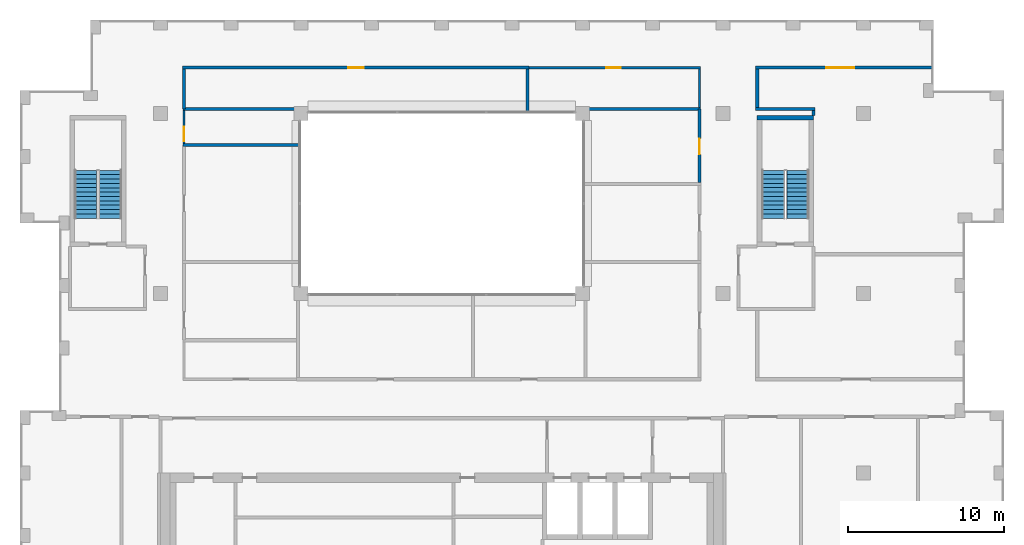
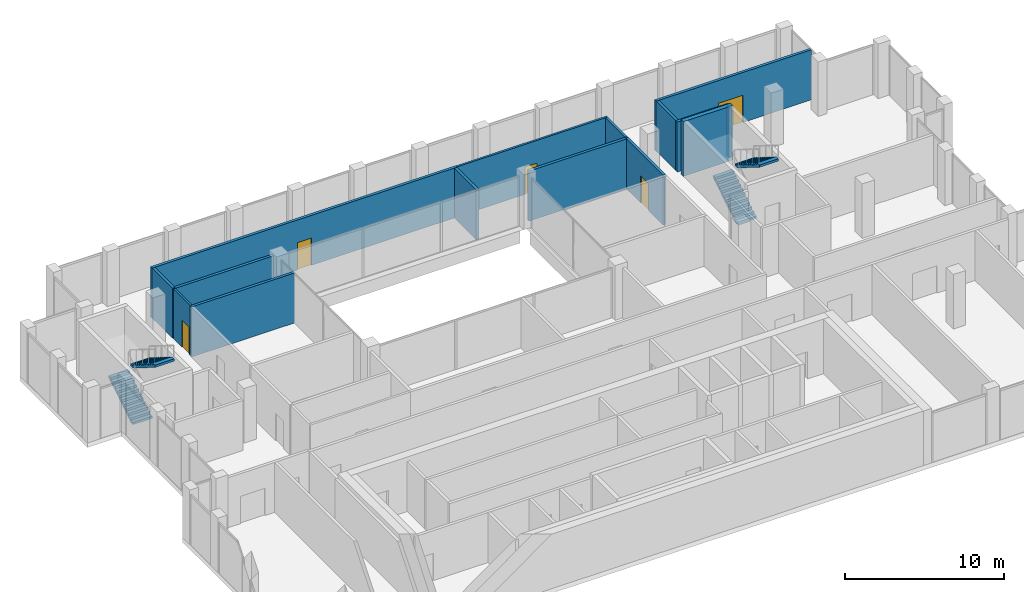
# One storey, part 13 of 15: 15 walls, 5 doors, 4 stair flights, 5 openings, 2 elements without a shape of their own.
"""IFC4 building model written with IfcOpenShell, lengths in metres."""

from ifc_helpers import new_model, si_unit, direction, frame, frame_2d, origin, place, context, subcontext, project, spatial, polyline, rectangle, outline, extrude, material, layer, layer_set, type_object, element, fill, aggregate, save


model = new_model("IFC4")

# Units and contexts
model_context = context("Model", 3, precision=1e-05, world=origin(), true_north=direction((0.0, 1.0)))
body_context = subcontext(model_context, "Body", "Model", "MODEL_VIEW")
ifc_project = project(units=[si_unit("LENGTHUNIT", "METRE"), si_unit("AREAUNIT", "SQUARE_METRE"), si_unit("VOLUMEUNIT", "CUBIC_METRE"), si_unit("PLANEANGLEUNIT", "RADIAN"), si_unit("MASSUNIT", "GRAM", prefix="KILO")], contexts=[model_context])

# Site, building, storey
site_placement = place(None, origin())
site = spatial("IfcSite", under=ifc_project, at=site_placement, CompositionType="ELEMENT")
building_placement = place(site_placement, origin())
building = spatial("IfcBuilding", under=site, at=building_placement, Name="Brigalow Station Residences", CompositionType="ELEMENT")
storey_placement = place(building_placement, frame((0.0, 0.0, 240.0)))
storey = spatial("IfcBuildingStorey", under=building, at=storey_placement, Name="L69", CompositionType="ELEMENT", Elevation=240.0)

# Walls
ifc_material_1 = material(Name="Concrete C50", Category="concrete")
ifc_layer_1 = layer(ifc_material_1, 0.300048828125)
ifc_layer_set_1 = layer_set([ifc_layer_1], Name="CORE SHEAR WALL 300 C50")
wall_type_1 = type_object("IfcWallType", Name="CORE SHEAR WALL 300 C50", PredefinedType="SHEAR", material=ifc_layer_set_1)
wall_1_placement = place(storey_placement, frame((56.199951171875, 35.25, 0.0), z_axis=(0.0, 0.0, 1.0), x_axis=(1.0, 0.0, 0.0)))
element("IfcWall", 1, at=wall_1_placement, inside=storey, type_object=wall_type_1, Name="CORE WALL ST-S3-N L69", PredefinedType="SHEAR", context=body_context, shape_type="SweptSolid", body=[
    extrude(rectangle(XDim=3.60009765625, YDim=0.300048828125, at=frame_2d((1.800048828125, 0.0))), origin(), (0.0, 0.0, 1.0), 4.199951171875),
])
ifc_material_2 = material(Name="Concrete blockwork", Category="masonry")
ifc_layer_2 = layer(ifc_material_2, 0.199951171875)
ifc_layer_set_2 = layer_set([ifc_layer_2], Name="FIRE RATED CORE PARTITION 200")
wall_type_2 = type_object("IfcWallType", Name="FIRE RATED CORE PARTITION 200", PredefinedType="PARTITIONING", material=ifc_layer_set_2)
wall_2_placement = place(storey_placement, frame((19.425048828125, 33.5, 0.0), z_axis=(0.0, 0.0, 1.0), x_axis=(1.0, 0.0, 0.0)))
element("IfcWall", 2, at=wall_2_placement, inside=storey, type_object=wall_type_2, Name="PW-5339", PredefinedType="PARTITIONING", context=body_context, shape_type="SweptSolid", body=[
    extrude(rectangle(XDim=7.47900390625, YDim=0.199951171875, at=frame_2d((3.739501953125, 0.0))), origin(), (0.0, 0.0, 1.0), 3.85009765625),
])
for number, where, z_axis, x_axis, name in (
    (3, (19.425048828125, 35.800048828125, 0.0), (0.0, 0.0, 1.0), (1.0, 0.0, 0.0), "PW-5340"),
    (4, (45.300048828125, 35.800048828125, 0.0), (0.0, 0.0, 1.0), (1.0, 0.0, 0.0), "PW-5311"),
):
    element("IfcWall", number, at=place(storey_placement, frame(where, z_axis=z_axis, x_axis=x_axis)), inside=storey, type_object=wall_type_2, Name=name, PredefinedType="PARTITIONING", context=body_context, shape_type="SweptSolid", body=[
        extrude(rectangle(XDim=7.27490234375, YDim=0.199951171875, at=frame_2d((3.637451171875, 0.0))), origin(), (0.0, 0.0, 1.0), 3.85009765625),
    ])
wall_3_placement = place(storey_placement, frame((56.10009765625, 35.800048828125, 0.0), z_axis=(0.0, 0.0, 1.0), x_axis=(1.0, 0.0, 0.0)))
element("IfcWall", 5, at=wall_3_placement, inside=storey, type_object=wall_type_2, Name="PW-5312", PredefinedType="PARTITIONING", context=body_context, shape_type="SweptSolid", body=[
    extrude(rectangle(XDim=3.7998046875, YDim=0.199951171875, at=frame_2d((1.89990234375, 0.0))), origin(), (0.0, 0.0, 1.0), 3.85009765625),
])

# Wall, opening, door
wall_4_placement = place(storey_placement, frame((19.39990234375, 38.449951171875, 0.0), z_axis=(0.0, 0.0, 1.0), x_axis=(1.0, 0.0, 0.0)))
wall_4 = element("IfcWall", 6, at=wall_4_placement, inside=storey, type_object=wall_type_2, Name="PW-5341", PredefinedType="PARTITIONING", context=body_context, shape_type="SweptSolid", body=[
    extrude(rectangle(XDim=22.2001953125, YDim=0.199951171875, at=frame_2d((11.10009765625, 0.0))), origin(), (0.0, 0.0, 1.0), 3.85009765625),
])
opening_1_placement = place(wall_4_placement, frame((10.60009765625, 0.0, 0.0)))
opening_1 = element("IfcOpeningElement", 7, at=opening_1_placement, cuts=wall_4, Name="Opening D-5175", PredefinedType="OPENING", context=body_context, shape_type="SweptSolid", body=[
    extrude(rectangle(XDim=1.0, YDim=2.10009765625, at=frame_2d((0.5, 1.050048828125))), frame((0.0, 0.10986328125, 0.0), z_axis=(0.0, -1.0, 0.0), x_axis=(1.0, 0.0, 0.0)), (0.0, 0.0, 1.0), 0.219970703125),
])
ifc_material_3 = material(Name="Steel fire door leaf in steel frame", Category="steel")
door_type_1 = type_object("IfcDoorType", Name="PLANT ROOM DOOR 1000 x 2100 FD60", OperationType="SINGLE_SWING_LEFT", PredefinedType="DOOR", material=ifc_material_3)
door_1_placement = place(opening_1_placement, frame((1.0, 0.0, 0.0), z_axis=(0.0, 0.0, 1.0), x_axis=(-1.0, 0.0, 0.0)))
door_1 = element("IfcDoor", 8, at=door_1_placement, inside=storey, type_object=door_type_1, Name="D-5175", OperationType="SINGLE_SWING_LEFT", OverallHeight=2.10009765625, OverallWidth=1.0, PredefinedType="DOOR", context=body_context, shape_type="SweptSolid", body=[
    extrude(rectangle(XDim=1.0, YDim=2.10009765625, at=frame_2d((0.5, 1.050048828125))), frame((0.0, 0.02490234375, 0.0), z_axis=(0.0, -1.0, 0.0), x_axis=(1.0, 0.0, 0.0)), (0.0, 0.0, 1.0), 0.050048828125),
])
fill(opening_1, door_1)

wall_5_placement = place(storey_placement, frame((56.10009765625, 38.449951171875, 0.0), z_axis=(0.0, 0.0, 1.0), x_axis=(1.0, 0.0, 0.0)))
wall_5 = element("IfcWall", 9, at=wall_5_placement, inside=storey, type_object=wall_type_2, Name="PW-5314", PredefinedType="PARTITIONING", context=body_context, shape_type="SweptSolid", body=[
    extrude(rectangle(XDim=11.306884765625, YDim=0.199951171875, at=frame_2d((5.6533203125, 0.0))), origin(), (0.0, 0.0, 1.0), 3.85009765625),
])
opening_2_placement = place(wall_5_placement, frame((4.52490234375, 0.0, 0.0)))
opening_2 = element("IfcOpeningElement", 10, at=opening_2_placement, cuts=wall_5, Name="Opening D-5162", PredefinedType="OPENING", context=body_context, shape_type="SweptSolid", body=[
    extrude(rectangle(XDim=1.800048828125, YDim=2.10009765625, at=frame_2d((0.89990234375, 1.050048828125))), frame((0.0, 0.10986328125, 0.0), z_axis=(0.0, -1.0, 0.0), x_axis=(1.0, 0.0, 0.0)), (0.0, 0.0, 1.0), 0.219970703125),
])
ifc_material_4 = material(Name="Steel fire door leaf in steel frame", Category="steel")
door_type_2 = type_object("IfcDoorType", Name="PLANT ROOM DOOR 1800 x 2100 FD60", OperationType="DOUBLE_DOOR_SINGLE_SWING", PredefinedType="DOOR", material=ifc_material_4)
door_2_placement = place(opening_2_placement, frame((1.800048828125, 0.0, 0.0), z_axis=(0.0, 0.0, 1.0), x_axis=(-1.0, 0.0, 0.0)))
door_2 = element("IfcDoor", 11, at=door_2_placement, inside=storey, type_object=door_type_2, Name="D-5162", OperationType="DOUBLE_DOOR_SINGLE_SWING", OverallHeight=2.10009765625, OverallWidth=1.800048828125, PredefinedType="DOOR", context=body_context, shape_type="SweptSolid", body=[
    extrude(rectangle(XDim=1.800048828125, YDim=2.10009765625, at=frame_2d((0.89990234375, 1.050048828125))), frame((0.0, 0.02490234375, 0.0), z_axis=(0.0, -1.0, 0.0), x_axis=(1.0, 0.0, 0.0)), (0.0, 0.0, 1.0), 0.050048828125),
])
fill(opening_2, door_2)

wall_6_placement = place(storey_placement, frame((52.5, 31.10009765625, 0.0), z_axis=(0.0, 0.0, 1.0), x_axis=(0.0, 1.0, 0.0)))
wall_6 = element("IfcWall", 12, at=wall_6_placement, inside=storey, type_object=wall_type_2, Name="PW-5328", PredefinedType="PARTITIONING", context=body_context, shape_type="SweptSolid", body=[
    extrude(rectangle(XDim=4.699951171875, YDim=0.199951171875, at=frame_2d((2.35009765625, 0.0))), origin(), (0.0, 0.0, 1.0), 3.85009765625),
])
opening_3_placement = place(wall_6_placement, frame((1.800048828125, 0.0, 0.0)))
opening_3 = element("IfcOpeningElement", 13, at=opening_3_placement, cuts=wall_6, Name="Opening D-5159", PredefinedType="OPENING", context=body_context, shape_type="SweptSolid", body=[
    extrude(rectangle(XDim=1.0, YDim=2.10009765625, at=frame_2d((0.5, 1.050048828125))), frame((0.0, 0.10986328125, 0.0), z_axis=(0.0, -1.0, 0.0), x_axis=(1.0, 0.0, 0.0)), (0.0, 0.0, 1.0), 0.219970703125),
])
door_3_placement = place(opening_3_placement, origin())
door_3 = element("IfcDoor", 14, at=door_3_placement, inside=storey, type_object=door_type_1, Name="D-5159", OperationType="SINGLE_SWING_RIGHT", OverallHeight=2.10009765625, OverallWidth=1.0, PredefinedType="DOOR", context=body_context, shape_type="SweptSolid", body=[
    extrude(rectangle(XDim=1.0, YDim=2.10009765625, at=frame_2d((0.5, 1.050048828125))), frame((0.0, 0.02490234375, 0.0), z_axis=(0.0, -1.0, 0.0), x_axis=(1.0, 0.0, 0.0)), (0.0, 0.0, 1.0), 0.050048828125),
])
fill(opening_3, door_3)

# Walls
wall_7_placement = place(storey_placement, frame((59.800048828125, 35.39990234375, 0.0), z_axis=(0.0, 0.0, 1.0), x_axis=(0.0, 1.0, 0.0)))
element("IfcWall", 15, at=wall_7_placement, inside=storey, type_object=wall_type_2, Name="PW-5329", PredefinedType="PARTITIONING", context=body_context, shape_type="SweptSolid", body=[
    extrude(rectangle(XDim=0.300048828125, YDim=0.199951171875, at=frame_2d((0.14990234375, 0.0))), origin(), (0.0, 0.0, 1.0), 3.85009765625),
])
wall_8_placement = place(storey_placement, frame((19.5, 35.800048828125, 0.0), z_axis=(0.0, 0.0, 1.0), x_axis=(0.0, 1.0, 0.0)))
element("IfcWall", 16, at=wall_8_placement, inside=storey, type_object=wall_type_2, Name="PW-5348", PredefinedType="PARTITIONING", context=body_context, shape_type="SweptSolid", body=[
    extrude(rectangle(XDim=2.550048828125, YDim=0.199951171875, at=frame_2d((1.27490234375, 0.0))), origin(), (0.0, 0.0, 1.0), 3.85009765625),
])
wall_9_placement = place(storey_placement, frame((41.5, 35.595947265625, 0.0), z_axis=(0.0, 0.0, 1.0), x_axis=(0.0, 1.0, 0.0)))
element("IfcWall", 17, at=wall_9_placement, inside=storey, type_object=wall_type_2, Name="PW-5349", PredefinedType="PARTITIONING", context=body_context, shape_type="SweptSolid", body=[
    extrude(rectangle(XDim=2.754150390625, YDim=0.199951171875, at=frame_2d((1.376953125, 0.0))), origin(), (0.0, 0.0, 1.0), 3.85009765625),
])
wall_10_placement = place(storey_placement, frame((56.199951171875, 35.89990234375, 0.0), z_axis=(0.0, 0.0, 1.0), x_axis=(0.0, 1.0, 0.0)))
element("IfcWall", 18, at=wall_10_placement, inside=storey, type_object=wall_type_2, Name="PW-5333", PredefinedType="PARTITIONING", context=body_context, shape_type="SweptSolid", body=[
    extrude(rectangle(XDim=2.4501953125, YDim=0.199951171875, at=frame_2d((1.22509765625, 0.0))), origin(), (0.0, 0.0, 1.0), 3.85009765625),
])

# Wall, opening, door
ifc_material_5 = material(Name="Plasterboard on steel studs", Category="steel")
ifc_layer_3 = layer(ifc_material_5, 0.14990234375)
ifc_layer_set_3 = layer_set([ifc_layer_3], Name="SERVICE ROOM PARTITION 150")
wall_type_3 = type_object("IfcWallType", Name="SERVICE ROOM PARTITION 150", PredefinedType="PARTITIONING", material=ifc_layer_set_3)
wall_11_placement = place(storey_placement, frame((41.60009765625, 38.449951171875, 0.0), z_axis=(0.0, 0.0, 1.0), x_axis=(1.0, 0.0, 0.0)))
wall_11 = element("IfcWall", 19, at=wall_11_placement, inside=storey, type_object=wall_type_3, Name="PW-5342", PredefinedType="PARTITIONING", context=body_context, shape_type="SweptSolid", body=[
    extrude(rectangle(XDim=10.974853515625, YDim=0.14990234375, at=frame_2d((5.4873046875, 0.0))), origin(), (0.0, 0.0, 1.0), 3.85009765625),
])
opening_4_placement = place(wall_11_placement, frame((4.949951171875, 0.0, 0.0)))
opening_4 = element("IfcOpeningElement", 20, at=opening_4_placement, cuts=wall_11, Name="Opening D-5176", PredefinedType="OPENING", context=body_context, shape_type="SweptSolid", body=[
    extrude(rectangle(XDim=0.89990234375, YDim=2.10009765625, at=frame_2d((0.449951171875, 1.050048828125))), frame((0.0, 0.0849609375, 0.0), z_axis=(0.0, -1.0, 0.0), x_axis=(1.0, 0.0, 0.0)), (0.0, 0.0, 1.0), 0.169921875),
])
ifc_material_6 = material(Name="Steel door leaf in steel frame", Category="steel")
door_type_3 = type_object("IfcDoorType", Name="SERVICE ROOM DOOR 900 x 2100 FD60", OperationType="SINGLE_SWING_LEFT", PredefinedType="DOOR", material=ifc_material_6)
door_4_placement = place(opening_4_placement, frame((0.89990234375, 0.0, 0.0), z_axis=(0.0, 0.0, 1.0), x_axis=(-1.0, 0.0, 0.0)))
door_4 = element("IfcDoor", 21, at=door_4_placement, inside=storey, type_object=door_type_3, Name="D-5176", OperationType="SINGLE_SWING_RIGHT", OverallHeight=2.10009765625, OverallWidth=0.89990234375, PredefinedType="DOOR", context=body_context, shape_type="SweptSolid", body=[
    extrude(rectangle(XDim=0.89990234375, YDim=2.10009765625, at=frame_2d((0.449951171875, 1.050048828125))), frame((0.0, 0.02490234375, 0.0), z_axis=(0.0, -1.0, 0.0), x_axis=(1.0, 0.0, 0.0)), (0.0, 0.0, 1.0), 0.050048828125),
])
fill(opening_4, door_4)

wall_12_placement = place(storey_placement, frame((19.5, 33.60009765625, 0.0), z_axis=(0.0, 0.0, 1.0), x_axis=(0.0, 1.0, 0.0)))
wall_12 = element("IfcWall", 22, at=wall_12_placement, inside=storey, type_object=wall_type_3, Name="PW-5347", PredefinedType="PARTITIONING", context=body_context, shape_type="SweptSolid", body=[
    extrude(rectangle(XDim=2.099853515625, YDim=0.14990234375, at=frame_2d((1.0498046875, 0.0))), origin(), (0.0, 0.0, 1.0), 3.85009765625),
])
opening_5_placement = place(wall_12_placement, frame((0.14990234375, 0.0, 0.0)))
opening_5 = element("IfcOpeningElement", 23, at=opening_5_placement, cuts=wall_12, Name="Opening D-5173", PredefinedType="OPENING", context=body_context, shape_type="SweptSolid", body=[
    extrude(rectangle(XDim=0.89990234375, YDim=2.10009765625, at=frame_2d((0.449951171875, 1.050048828125))), frame((0.0, 0.0849609375, 0.0), z_axis=(0.0, -1.0, 0.0), x_axis=(1.0, 0.0, 0.0)), (0.0, 0.0, 1.0), 0.169921875),
])
ifc_material_7 = material(Name="Timber door leaf in steel frame", Category="steel")
door_type_4 = type_object("IfcDoorType", Name="WC DOOR 900 x 2100 FD60", OperationType="SINGLE_SWING_LEFT", PredefinedType="DOOR", material=ifc_material_7)
door_5_placement = place(opening_5_placement, frame((0.89990234375, 0.0, 0.0), z_axis=(0.0, 0.0, 1.0), x_axis=(-1.0, 0.0, 0.0)))
door_5 = element("IfcDoor", 24, at=door_5_placement, inside=storey, type_object=door_type_4, Name="D-5173", OperationType="SINGLE_SWING_RIGHT", OverallHeight=2.10009765625, OverallWidth=0.89990234375, PredefinedType="DOOR", context=body_context, shape_type="SweptSolid", body=[
    extrude(rectangle(XDim=0.89990234375, YDim=2.10009765625, at=frame_2d((0.449951171875, 1.050048828125))), frame((0.0, 0.02490234375, 0.0), z_axis=(0.0, -1.0, 0.0), x_axis=(1.0, 0.0, 0.0)), (0.0, 0.0, 1.0), 0.050048828125),
])
fill(opening_5, door_5)

# Wall
wall_13_placement = place(storey_placement, frame((52.5, 35.89990234375, 0.0), z_axis=(0.0, 0.0, 1.0), x_axis=(0.0, 1.0, 0.0)))
element("IfcWall", 25, at=wall_13_placement, inside=storey, type_object=wall_type_3, Name="PW-5332", PredefinedType="PARTITIONING", context=body_context, shape_type="SweptSolid", body=[
    extrude(rectangle(XDim=2.47509765625, YDim=0.14990234375, at=frame_2d((1.237548828125, 0.0))), origin(), (0.0, 0.0, 1.0), 3.85009765625),
])

# Stair, stair flights
ifc_material_8 = material(Name="Concrete C50", Category="concrete")
stair_type = type_object("IfcStairType", Name="EXIT STAIR 1400 2 FLIGHT", PredefinedType="HALF_TURN_STAIR", material=ifc_material_8)
stair_1_placement = place(storey_placement, origin())
stair_1 = element("IfcStair", 26, at=stair_1_placement, inside=storey, type_object=stair_type, Name="EXIT STAIR S1 L69", PredefinedType="HALF_TURN_STAIR")
ifc_material_9 = material(Name="Concrete C50", Category="concrete")
stair_flight_type = type_object("IfcStairFlightType", Name="STAIR FLIGHT 1400", PredefinedType="STRAIGHT", material=ifc_material_9)
stair_flight_1_placement = place(storey_placement, frame((13.199951171875, 28.800048828125, 0.0), z_axis=(0.0, 0.0, 1.0), x_axis=(0.0, 1.0, 0.0)))
stair_flight_1 = element("IfcStairFlight", 27, at=stair_flight_1_placement, type_object=stair_flight_type, Name="ST-1 flight 1", NumberOfRisers=12, NumberOfTreads=11, PredefinedType="STRAIGHT", RiserHeight=0.175, TreadLength=0.28, context=body_context, shape_type="SweptSolid", body=[
    extrude(outline(polyline([(0.0, 0.0), (0.0, 0.175048828125), (0.280029296875, 0.175048828125), (0.280029296875, 0.35009765625), (0.56005859375, 0.35009765625), (0.56005859375, 0.52490234375), (0.840087890625, 0.52490234375), (0.840087890625, 0.699951171875), (1.1201171875, 0.699951171875), (1.1201171875, 0.875), (1.39990234375, 0.875), (1.39990234375, 1.050048828125), (1.679931640625, 1.050048828125), (1.679931640625, 1.22509765625), (1.9599609375, 1.22509765625), (1.9599609375, 1.39990234375), (2.239990234375, 1.39990234375), (2.239990234375, 1.574951171875), (2.52001953125, 1.574951171875), (2.52001953125, 1.75), (2.800048828125, 1.75), (2.800048828125, 1.925048828125), (3.080078125, 1.925048828125), (3.080078125, 2.10009765625), (3.080078125, 1.748291015625), (0.28271484375, 0.0), (0.0, 0.0)])), frame((0.0, 0.699951171875, 0.0), z_axis=(0.0, -1.0, 0.0), x_axis=(1.0, 0.0, 0.0)), (0.0, 0.0, 1.0), 1.39990234375),
])
stair_flight_2_placement = place(storey_placement, frame((14.800048828125, 31.8798828125, 2.10009765625), z_axis=(0.0, 0.0, 1.0), x_axis=(0.0, -1.0, 0.0)))
stair_flight_2 = element("IfcStairFlight", 28, at=stair_flight_2_placement, type_object=stair_flight_type, Name="ST-1 flight 2", NumberOfRisers=12, NumberOfTreads=11, PredefinedType="STRAIGHT", RiserHeight=0.175, TreadLength=0.28, context=body_context, shape_type="SweptSolid", body=[
    extrude(outline(polyline([(0.0, 0.0), (0.0, 0.175048828125), (0.280029296875, 0.175048828125), (0.280029296875, 0.35009765625), (0.56005859375, 0.35009765625), (0.56005859375, 0.52490234375), (0.840087890625, 0.52490234375), (0.840087890625, 0.699951171875), (1.1201171875, 0.699951171875), (1.1201171875, 0.875), (1.39990234375, 0.875), (1.39990234375, 1.050048828125), (1.679931640625, 1.050048828125), (1.679931640625, 1.22509765625), (1.9599609375, 1.22509765625), (1.9599609375, 1.39990234375), (2.239990234375, 1.39990234375), (2.239990234375, 1.574951171875), (2.52001953125, 1.574951171875), (2.52001953125, 1.75), (2.800048828125, 1.75), (2.800048828125, 1.925048828125), (3.080078125, 1.925048828125), (3.080078125, 2.10009765625), (3.080078125, 1.748291015625), (0.28271484375, 0.0), (0.0, 0.0)])), frame((0.0, 0.699951171875, 0.0), z_axis=(0.0, -1.0, 0.0), x_axis=(1.0, 0.0, 0.0)), (0.0, 0.0, 1.0), 1.39990234375),
])
aggregate(stair_1, [stair_flight_1, stair_flight_2])

stair_2_placement = place(storey_placement, origin())
stair_2 = element("IfcStair", 29, at=stair_2_placement, inside=storey, type_object=stair_type, Name="EXIT STAIR S3 L69", PredefinedType="HALF_TURN_STAIR")
stair_flight_3_placement = place(storey_placement, frame((57.199951171875, 28.800048828125, 0.0), z_axis=(0.0, 0.0, 1.0), x_axis=(0.0, 1.0, 0.0)))
stair_flight_3 = element("IfcStairFlight", 30, at=stair_flight_3_placement, type_object=stair_flight_type, Name="ST-3 flight 1", NumberOfRisers=12, NumberOfTreads=11, PredefinedType="STRAIGHT", RiserHeight=0.175, TreadLength=0.28, context=body_context, shape_type="SweptSolid", body=[
    extrude(outline(polyline([(0.0, 0.0), (0.0, 0.175048828125), (0.280029296875, 0.175048828125), (0.280029296875, 0.35009765625), (0.56005859375, 0.35009765625), (0.56005859375, 0.52490234375), (0.840087890625, 0.52490234375), (0.840087890625, 0.699951171875), (1.1201171875, 0.699951171875), (1.1201171875, 0.875), (1.39990234375, 0.875), (1.39990234375, 1.050048828125), (1.679931640625, 1.050048828125), (1.679931640625, 1.22509765625), (1.9599609375, 1.22509765625), (1.9599609375, 1.39990234375), (2.239990234375, 1.39990234375), (2.239990234375, 1.574951171875), (2.52001953125, 1.574951171875), (2.52001953125, 1.75), (2.800048828125, 1.75), (2.800048828125, 1.925048828125), (3.080078125, 1.925048828125), (3.080078125, 2.10009765625), (3.080078125, 1.748291015625), (0.28271484375, 0.0), (0.0, 0.0)])), frame((0.0, 0.699951171875, 0.0), z_axis=(0.0, -1.0, 0.0), x_axis=(1.0, 0.0, 0.0)), (0.0, 0.0, 1.0), 1.39990234375),
])
stair_flight_4_placement = place(storey_placement, frame((58.800048828125, 31.8798828125, 2.10009765625), z_axis=(0.0, 0.0, 1.0), x_axis=(0.0, -1.0, 0.0)))
stair_flight_4 = element("IfcStairFlight", 31, at=stair_flight_4_placement, type_object=stair_flight_type, Name="ST-3 flight 2", NumberOfRisers=12, NumberOfTreads=11, PredefinedType="STRAIGHT", RiserHeight=0.175, TreadLength=0.28, context=body_context, shape_type="SweptSolid", body=[
    extrude(outline(polyline([(0.0, 0.0), (0.0, 0.175048828125), (0.280029296875, 0.175048828125), (0.280029296875, 0.35009765625), (0.56005859375, 0.35009765625), (0.56005859375, 0.52490234375), (0.840087890625, 0.52490234375), (0.840087890625, 0.699951171875), (1.1201171875, 0.699951171875), (1.1201171875, 0.875), (1.39990234375, 0.875), (1.39990234375, 1.050048828125), (1.679931640625, 1.050048828125), (1.679931640625, 1.22509765625), (1.9599609375, 1.22509765625), (1.9599609375, 1.39990234375), (2.239990234375, 1.39990234375), (2.239990234375, 1.574951171875), (2.52001953125, 1.574951171875), (2.52001953125, 1.75), (2.800048828125, 1.75), (2.800048828125, 1.925048828125), (3.080078125, 1.925048828125), (3.080078125, 2.10009765625), (3.080078125, 1.748291015625), (0.28271484375, 0.0), (0.0, 0.0)])), frame((0.0, 0.699951171875, 0.0), z_axis=(0.0, -1.0, 0.0), x_axis=(1.0, 0.0, 0.0)), (0.0, 0.0, 1.0), 1.39990234375),
])
aggregate(stair_2, [stair_flight_3, stair_flight_4])

save(model, "model.ifc")
